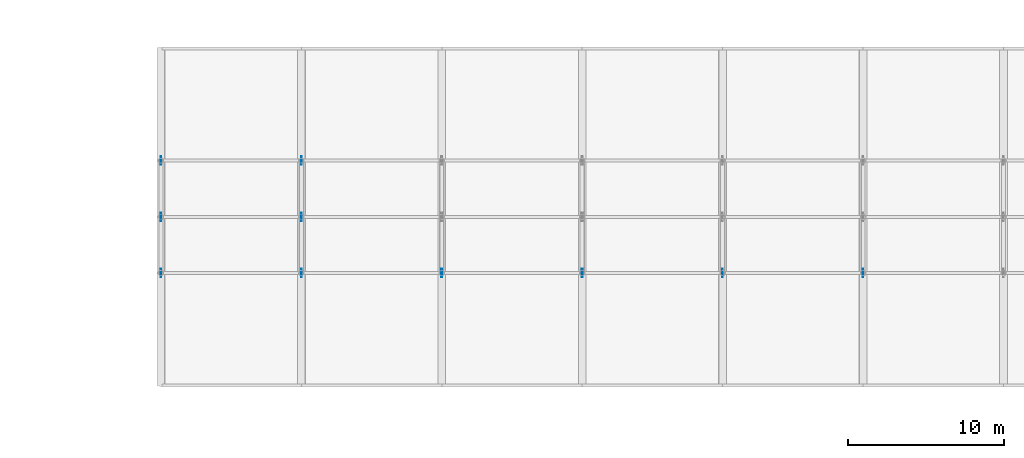
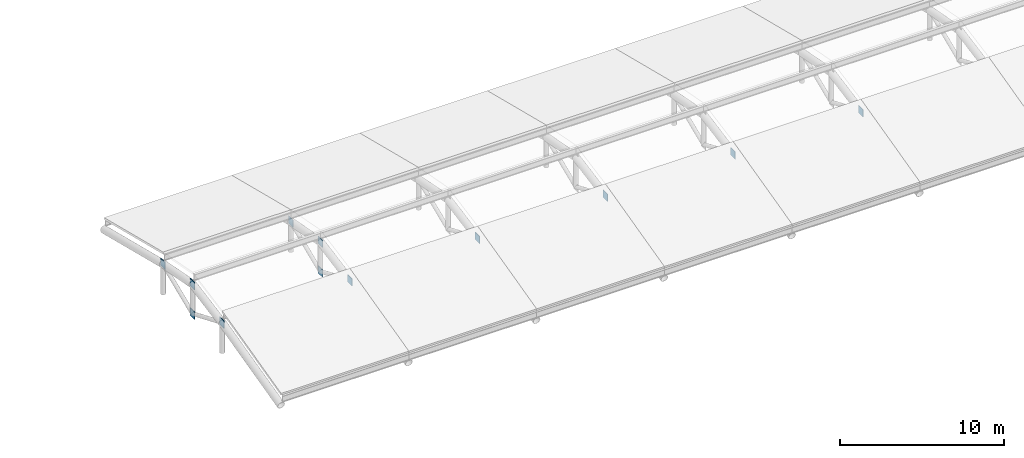
# One storey, part 44 of 52: 12 plates.
"""IFC4 building model written with IfcOpenShell, lengths in metres."""

from ifc_helpers import new_model, si_unit, direction, frame, origin, origin_2d, place, context, subcontext, project, spatial, rectangle, extrude, material, layer, layer_set, type_object, element, save


model = new_model("IFC4")

# Units and contexts
model_context = context("Model", 3, precision=1e-05, world=origin(), true_north=direction((0.0, 1.0)))
body_context = subcontext(model_context, "Body", "Model", "MODEL_VIEW")
ifc_project = project(units=[si_unit("LENGTHUNIT", "METRE"), si_unit("AREAUNIT", "SQUARE_METRE"), si_unit("VOLUMEUNIT", "CUBIC_METRE"), si_unit("PLANEANGLEUNIT", "RADIAN"), si_unit("MASSUNIT", "GRAM", prefix="KILO")], contexts=[model_context])

# Site, building, storey
site_placement = place(None, origin())
site = spatial("IfcSite", under=ifc_project, at=site_placement, CompositionType="ELEMENT")
building_placement = place(site_placement, origin())
building = spatial("IfcBuilding", under=site, at=building_placement, Name="Celestram Park Convention Centre", CompositionType="ELEMENT")
storey_placement = place(building_placement, frame((0.0, 0.0, 24.300048828125)))
storey = spatial("IfcBuildingStorey", under=building, at=storey_placement, Name="L05", CompositionType="ELEMENT", Elevation=24.300048828125)

# Plates
ifc_material = material(Name="Steel ASTM A572 Grade 50", Category="steel")
ifc_layer = layer(ifc_material, 0.0400390625)
ifc_layer_set = layer_set([ifc_layer], Name="Steel ASTM A572 Grade 50")
plate_type = type_object("IfcPlateType", Name="STR-PLT-GP40", PredefinedType="USERDEFINED", material=ifc_layer_set)
for number, where, z_axis, x_axis, name in (
    (1, (153.0, 136.800048828125, 1.45458984375), (0.0, 0.0, 1.0), (0.0, 1.0, 0.0), "V2 truss node gusset plate"),
    (2, (153.0, 140.39990234375, 2.13916015625), (0.0, 0.0, 1.0), (0.0, 1.0, 0.0), "V2 truss node gusset plate"),
    (3, (153.0, 140.39990234375, -0.06103515625), (0.0, 0.0, 1.0), (0.0, 1.0, 0.0), "V2 truss node gusset plate"),
    (4, (153.0, 144.0, 1.45458984375), (0.0, 0.0, 1.0), (0.0, 1.0, 0.0), "V2 truss node gusset plate"),
    (5, (162.0, 136.800048828125, 1.45458984375), (0.0, 0.0, 1.0), (0.0, 1.0, 0.0), "V2 truss node gusset plate"),
    (6, (162.0, 140.39990234375, 2.13916015625), (0.0, 0.0, 1.0), (0.0, 1.0, 0.0), "V2 truss node gusset plate"),
    (7, (162.0, 140.39990234375, -0.06103515625), (0.0, 0.0, 1.0), (0.0, 1.0, 0.0), "V2 truss node gusset plate"),
    (8, (162.0, 144.0, 1.45458984375), (0.0, 0.0, 1.0), (0.0, 1.0, 0.0), "V2 truss node gusset plate"),
    (9, (171.0, 136.800048828125, 1.45458984375), (0.0, 0.0, 1.0), (0.0, 1.0, 0.0), "V2 truss node gusset plate"),
    (10, (180.0, 136.800048828125, 1.45458984375), (0.0, 0.0, 1.0), (0.0, 1.0, 0.0), "V2 truss node gusset plate"),
    (11, (189.0, 136.800048828125, 1.45458984375), (0.0, 0.0, 1.0), (0.0, 1.0, 0.0), "V2 truss node gusset plate"),
    (12, (198.0, 136.800048828125, 1.45458984375), (0.0, 0.0, 1.0), (0.0, 1.0, 0.0), "V2 truss node gusset plate"),
):
    element("IfcPlate", number, at=place(storey_placement, frame(where, z_axis=z_axis, x_axis=x_axis)), inside=storey, type_object=plate_type, Name=name, ObjectType="GUSSET_PLATE", PredefinedType="USERDEFINED", context=body_context, shape_type="SweptSolid", body=[
        extrude(rectangle(XDim=0.550048828125, YDim=0.0400390625, at=origin_2d()), origin(), (0.0, 0.0, 1.0), 0.550048828125),
    ])

save(model, "model.ifc")
